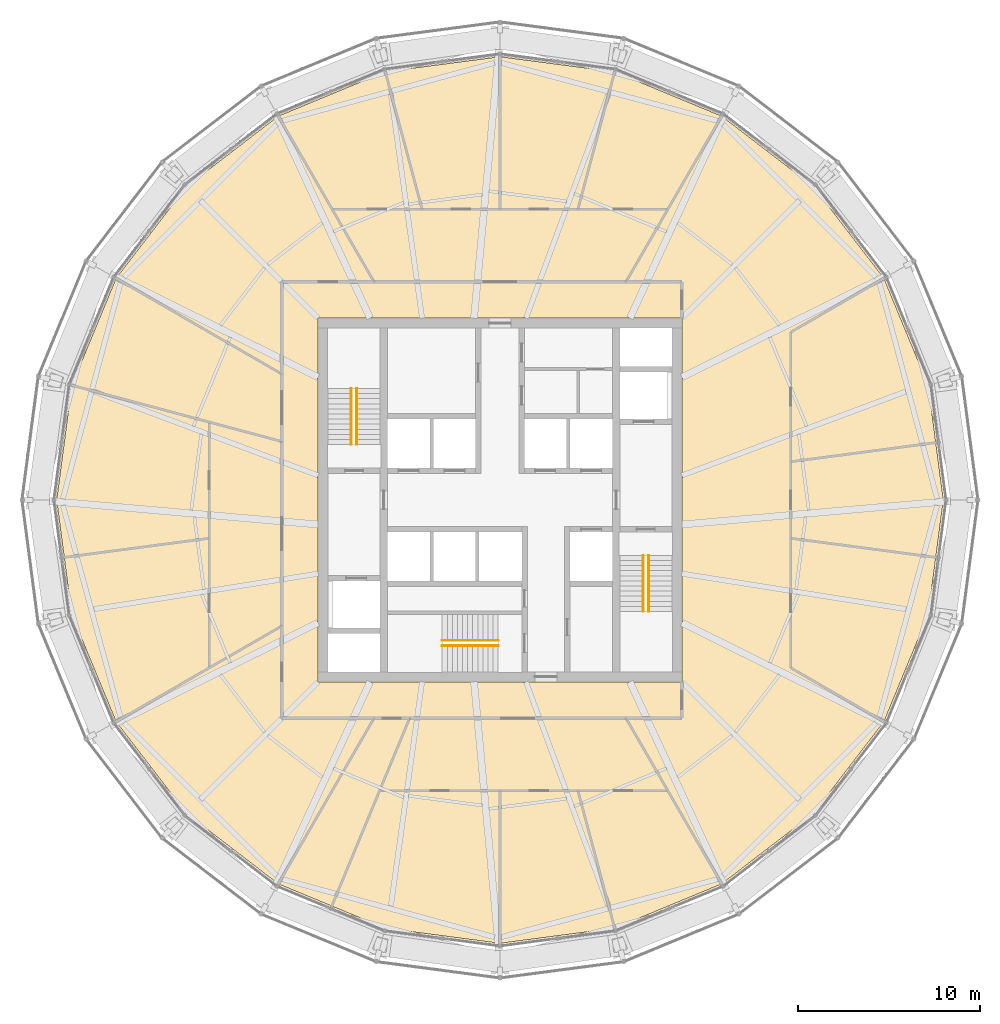
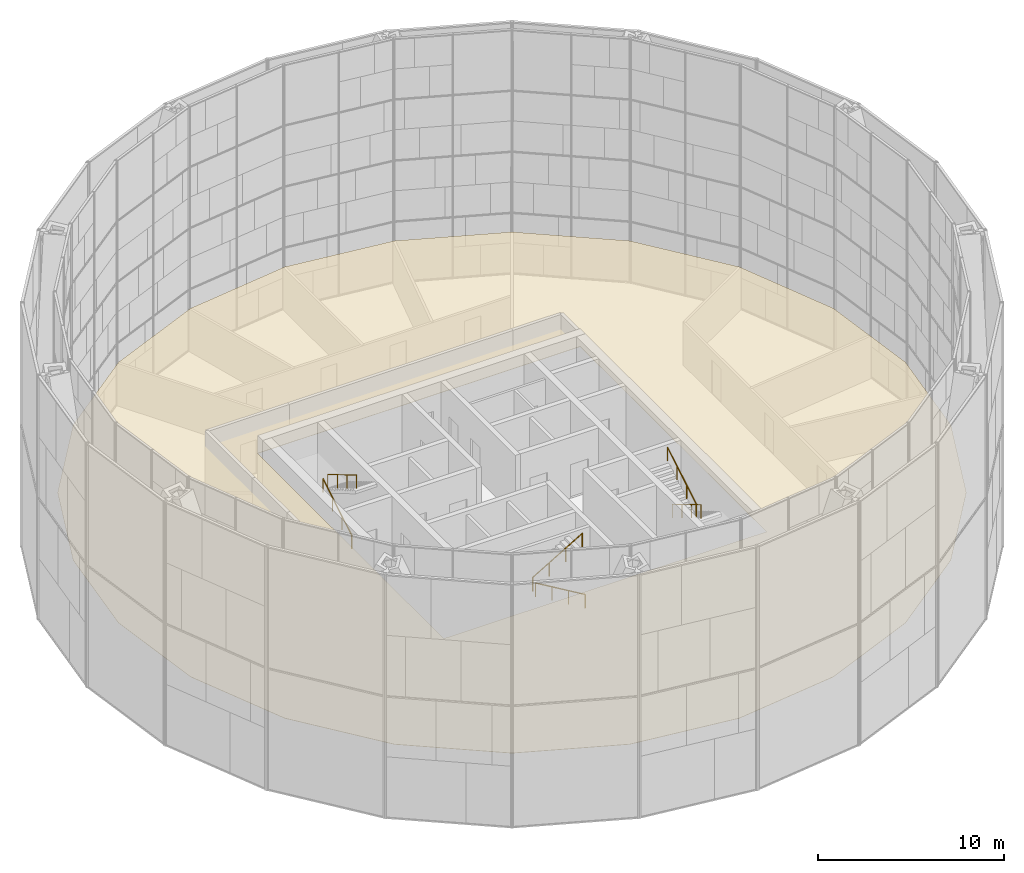
# One storey, part 29 of 29: 6 railings, 1 covering.
"""IFC4 building model written with IfcOpenShell, lengths in metres."""

from ifc_helpers import new_model, si_unit, direction, frame, origin, origin_2d, place, context, subcontext, project, spatial, polyline, circle, outline, extrude, material, layer, layer_set, type_object, element, save


model = new_model("IFC4")

# Units and contexts
model_context = context("Model", 3, precision=1e-05, world=origin(), true_north=direction((0.0, 1.0)))
body_context = subcontext(model_context, "Body", "Model", "MODEL_VIEW")
ifc_project = project(units=[si_unit("LENGTHUNIT", "METRE"), si_unit("AREAUNIT", "SQUARE_METRE"), si_unit("VOLUMEUNIT", "CUBIC_METRE"), si_unit("PLANEANGLEUNIT", "RADIAN"), si_unit("MASSUNIT", "GRAM", prefix="KILO")], contexts=[model_context])

# Site, building, storey
site_placement = place(None, origin())
site = spatial("IfcSite", under=ifc_project, at=site_placement, CompositionType="ELEMENT")
building_placement = place(site_placement, origin())
building = spatial("IfcBuilding", under=site, at=building_placement, Name="Golbaran Civic Tower", CompositionType="ELEMENT")
storey_placement = place(building_placement, frame((0.0, 0.0, 118.0)))
storey = spatial("IfcBuildingStorey", under=building, at=storey_placement, Name="L28", CompositionType="ELEMENT", Elevation=118.0)

# Railings
ifc_material_1 = material(Name="Stainless steel", Category="steel")
railing_type = type_object("IfcRailingType", Name="STAIR HANDRAIL 900", PredefinedType="HANDRAIL", material=ifc_material_1)
railing_1_placement = place(storey_placement, frame((-8.175048828125, 3.050048828125, 0.166748046875)))
element("IfcRailing", 1, at=railing_1_placement, inside=storey, type_object=railing_type, Name="Stair S1 handrail flight 1 L28", PredefinedType="HANDRAIL", context=body_context, shape_type="SweptSolid", body=[
    extrude(circle(Radius=0.02392578125, at=origin_2d()), frame((0.0, 0.0, 0.8759765625), z_axis=(0.0, 0.859290745958, 0.51148745235), x_axis=(-1.0, 0.0, 0.0)), (0.0, 0.0, 1.0), 3.584228515625),
    extrude(circle(Radius=0.02099609375, at=origin_2d()), origin(), (0.0, 0.0, 1.0), 0.851806640625),
    extrude(circle(Radius=0.02099609375, at=origin_2d()), frame((0.0, 1.026611328125, 0.611083984375)), (0.0, 0.0, 1.0), 0.851806640625),
    extrude(circle(Radius=0.02099609375, at=origin_2d()), frame((0.0, 2.05322265625, 1.22216796875)), (0.0, 0.0, 1.0), 0.851806640625),
    extrude(circle(Radius=0.02099609375, at=origin_2d()), frame((0.0, 3.079833984375, 1.833251953125)), (0.0, 0.0, 1.0), 0.851806640625),
])
for number, where, name in (
    (2, (-7.875, 6.1298828125, 2.166748046875), "Stair S1 handrail flight 2 L28"),
    (3, (8.175048828125, -3.050048828125, 0.166748046875), "Stair S2 handrail flight 1 L28"),
):
    element("IfcRailing", number, at=place(storey_placement, frame(where)), inside=storey, type_object=railing_type, Name=name, PredefinedType="HANDRAIL", context=body_context, shape_type="SweptSolid", body=[
        extrude(circle(Radius=0.02392578125, at=origin_2d()), frame((0.0, 0.0, 0.8759765625), z_axis=(0.0, -0.859290745958, 0.51148745235), x_axis=(1.0, 0.0, 0.0)), (0.0, 0.0, 1.0), 3.584228515625),
        extrude(circle(Radius=0.02099609375, at=origin_2d()), origin(), (0.0, 0.0, 1.0), 0.851806640625),
        extrude(circle(Radius=0.02099609375, at=origin_2d()), frame((0.0, -1.026611328125, 0.611083984375)), (0.0, 0.0, 1.0), 0.851806640625),
        extrude(circle(Radius=0.02099609375, at=origin_2d()), frame((0.0, -2.05322265625, 1.22216796875)), (0.0, 0.0, 1.0), 0.851806640625),
        extrude(circle(Radius=0.02099609375, at=origin_2d()), frame((0.0, -3.079833984375, 1.833251953125)), (0.0, 0.0, 1.0), 0.851806640625),
    ])
railing_2_placement = place(storey_placement, frame((7.875, -6.1298828125, 2.166748046875)))
element("IfcRailing", 4, at=railing_2_placement, inside=storey, type_object=railing_type, Name="Stair S2 handrail flight 2 L28", PredefinedType="HANDRAIL", context=body_context, shape_type="SweptSolid", body=[
    extrude(circle(Radius=0.02392578125, at=origin_2d()), frame((0.0, 0.0, 0.8759765625), z_axis=(0.0, 0.859290745958, 0.51148745235), x_axis=(-1.0, 0.0, 0.0)), (0.0, 0.0, 1.0), 3.584228515625),
    extrude(circle(Radius=0.02099609375, at=origin_2d()), origin(), (0.0, 0.0, 1.0), 0.851806640625),
    extrude(circle(Radius=0.02099609375, at=origin_2d()), frame((0.0, 1.026611328125, 0.611083984375)), (0.0, 0.0, 1.0), 0.851806640625),
    extrude(circle(Radius=0.02099609375, at=origin_2d()), frame((0.0, 2.05322265625, 1.22216796875)), (0.0, 0.0, 1.0), 0.851806640625),
    extrude(circle(Radius=0.02099609375, at=origin_2d()), frame((0.0, 3.079833984375, 1.833251953125)), (0.0, 0.0, 1.0), 0.851806640625),
])
railing_3_placement = place(storey_placement, frame((-0.10009765625, -8.02490234375, 0.166748046875)))
element("IfcRailing", 5, at=railing_3_placement, inside=storey, type_object=railing_type, Name="Stair S3 handrail flight 1 L28", PredefinedType="HANDRAIL", context=body_context, shape_type="SweptSolid", body=[
    extrude(circle(Radius=0.02392578125, at=origin_2d()), frame((0.0, 0.0, 0.8759765625), z_axis=(-0.859290745958, 0.0, 0.51148745235), x_axis=(0.0, -1.0, 0.0)), (0.0, 0.0, 1.0), 3.584228515625),
    extrude(circle(Radius=0.02099609375, at=origin_2d()), origin(), (0.0, 0.0, 1.0), 0.851806640625),
    extrude(circle(Radius=0.02099609375, at=origin_2d()), frame((-1.026611328125, 0.0, 0.611083984375)), (0.0, 0.0, 1.0), 0.851806640625),
    extrude(circle(Radius=0.02099609375, at=origin_2d()), frame((-2.05322265625, 0.0, 1.22216796875)), (0.0, 0.0, 1.0), 0.851806640625),
    extrude(circle(Radius=0.02099609375, at=origin_2d()), frame((-3.079833984375, 0.0, 1.833251953125)), (0.0, 0.0, 1.0), 0.851806640625),
])
railing_4_placement = place(storey_placement, frame((-3.179931640625, -7.72509765625, 2.166748046875)))
element("IfcRailing", 6, at=railing_4_placement, inside=storey, type_object=railing_type, Name="Stair S3 handrail flight 2 L28", PredefinedType="HANDRAIL", context=body_context, shape_type="SweptSolid", body=[
    extrude(circle(Radius=0.02392578125, at=origin_2d()), frame((0.0, 0.0, 0.8759765625), z_axis=(0.859290745958, 0.0, 0.51148745235), x_axis=(0.0, 1.0, 0.0)), (0.0, 0.0, 1.0), 3.584228515625),
    extrude(circle(Radius=0.02099609375, at=origin_2d()), origin(), (0.0, 0.0, 1.0), 0.851806640625),
    extrude(circle(Radius=0.02099609375, at=origin_2d()), frame((1.026611328125, 0.0, 0.611083984375)), (0.0, 0.0, 1.0), 0.851806640625),
    extrude(circle(Radius=0.02099609375, at=origin_2d()), frame((2.05322265625, 0.0, 1.22216796875)), (0.0, 0.0, 1.0), 0.851806640625),
    extrude(circle(Radius=0.02099609375, at=origin_2d()), frame((3.079833984375, 0.0, 1.833251953125)), (0.0, 0.0, 1.0), 0.851806640625),
])

# Covering
ifc_material_2 = material(Name="Mineral fibre tile on steel grid", Category="steel")
ifc_layer = layer(ifc_material_2, 0.02001953125, Name="Mineral fibre tile on steel grid")
ifc_layer_set = layer_set([ifc_layer], Name="Mineral fibre tile on steel grid")
covering_type = type_object("IfcCoveringType", Name="SUSPENDED CEILING 600 TILE 20", PredefinedType="CEILING", material=ifc_layer_set)
covering_placement = place(storey_placement, frame((0.0, 0.0, 2.800048828125)))
element("IfcCovering", 7, at=covering_placement, inside=storey, type_object=covering_type, Name="Suspended ceiling L28", PredefinedType="CEILING", context=body_context, shape_type="SweptSolid", body=[
    extrude(outline(polyline([(-12.19189453125, 21.1171875), (-6.31103515625, 23.55322265625), (0.0, 24.384033203125), (6.31103515625, 23.55322265625), (12.19189453125, 21.1171875), (17.2421875, 17.2421875), (21.1171875, 12.19189453125), (23.55322265625, 6.31103515625), (24.384033203125, 0.0), (23.55322265625, -6.31103515625), (21.1171875, -12.19189453125), (17.2421875, -17.2421875), (12.19189453125, -21.1171875), (6.31103515625, -23.55322265625), (0.0, -24.384033203125), (-6.31103515625, -23.55322265625), (-12.19189453125, -21.1171875), (-17.2421875, -17.2421875), (-21.1171875, -12.19189453125), (-23.55322265625, -6.31103515625), (-24.384033203125, 0.0), (-23.55322265625, 6.31103515625), (-21.1171875, 12.19189453125), (-17.2421875, 17.2421875), (-12.19189453125, 21.1171875)]), holes=[polyline([(10.0, 10.0), (-10.0, 10.0), (-10.0, -10.0), (10.0, -10.0), (10.0, 10.0)])]), origin(), (0.0, 0.0, 1.0), 0.02001953125),
])

save(model, "model.ifc")
